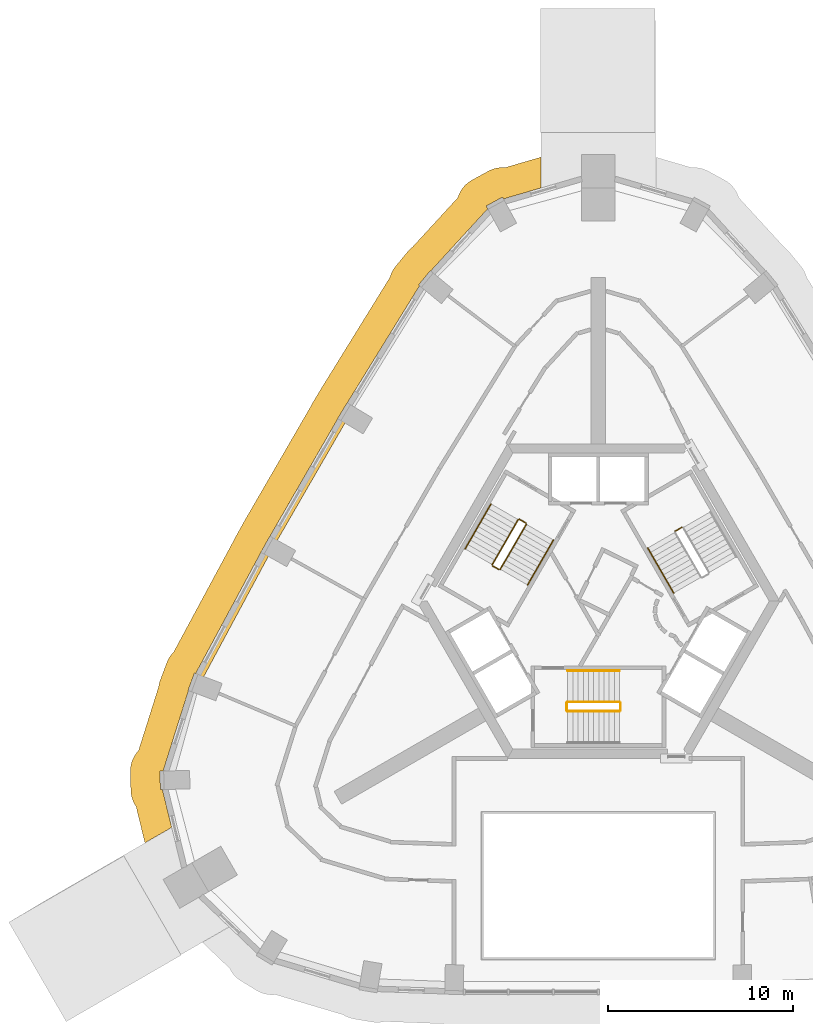
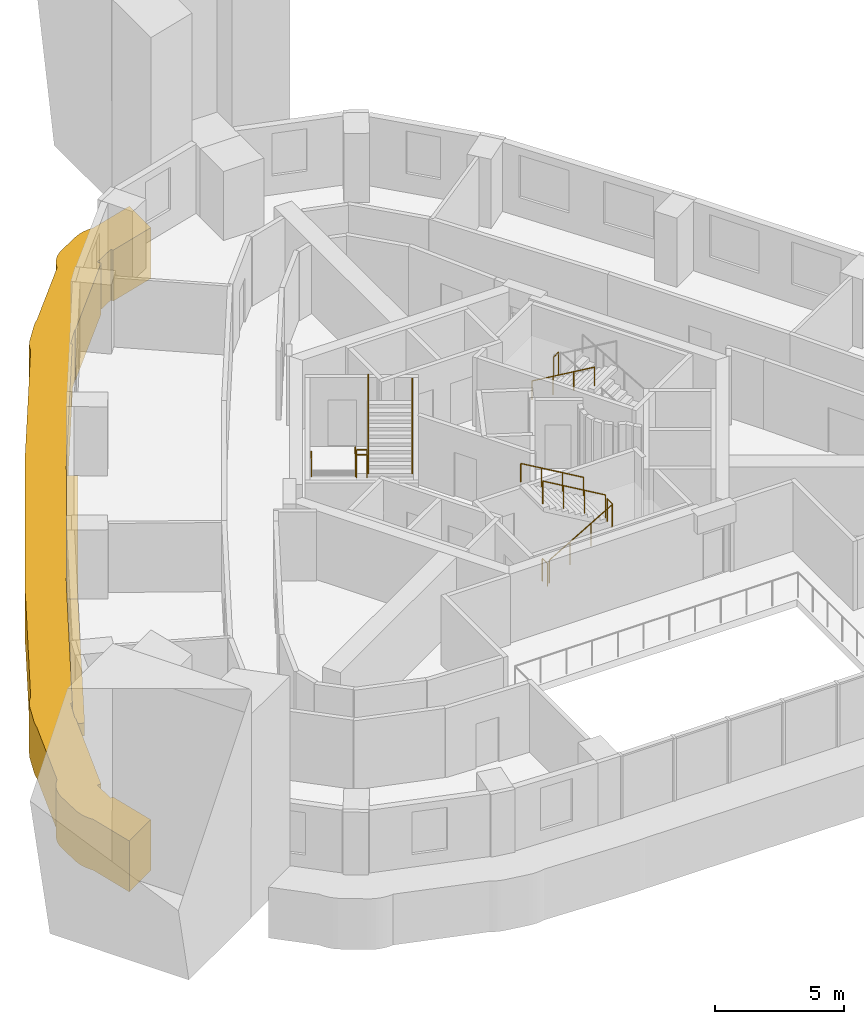
# One storey, part 9 of 11: 13 railings, 3 coverings.
"""IFC4 building model written with IfcOpenShell, lengths in metres."""

import ifcopenshell
import ifcopenshell.guid

model = None  # the IFC model being written
_history = None  # IfcOwnerHistory: only IFC2X3 demands one
_inside = {}  # id of a spatial element -> (the spatial element, [elements in it])
_under = {}  # id of a project, library or spatial element -> (it, [spatial elements below it])
_declared = {}  # id of a project -> (the project, [libraries it declares])
_typed = {}  # id of a type object -> (the type object, [elements of that type])
_made_of = {}  # id of a material, layer set ... -> (it, [elements and type objects made of it])


def new_model(schema):
    """Start an empty IFC model of exactly this schema.

    Asked for "IFC4X3", IfcOpenShell would pick the latest addendum, in which some entities
    have other attributes; the version numbers below select the first issue.
    IFC2X3 requires an IfcOwnerHistory on every rooted entity: one is made here for all.
    """
    global model, _history
    if schema == "IFC4X3":
        model = ifcopenshell.file(schema_version=(4, 3, 0, 0))
    else:
        model = ifcopenshell.file(schema=schema)
    _inside.clear()
    _under.clear()
    _declared.clear()
    _typed.clear()
    _made_of.clear()
    _history = None
    if model.schema == "IFC2X3":
        org = make("IfcOrganization", Name="unknown")
        user = make(
            "IfcPersonAndOrganization",
            ThePerson=make("IfcPerson", FamilyName="unknown"),
            TheOrganization=org,
        )
        app = make(
            "IfcApplication",
            ApplicationDeveloper=org,
            Version="unknown",
            ApplicationFullName="unknown",
            ApplicationIdentifier="unknown",
        )
        _history = make(
            "IfcOwnerHistory",
            OwningUser=user,
            OwningApplication=app,
            ChangeAction="ADDED",
            CreationDate=0,
        )
    return model


def make(cls, **values):
    """One entity of the class cls with the attributes given. An attribute that is None is left unset."""
    return model.create_entity(
        cls, **{name: value for name, value in values.items() if value is not None}
    )


def rooted(cls, **values):
    """An entity with a GlobalId (a new one), such as an element, a storey or a relation."""
    return make(cls, GlobalId=ifcopenshell.guid.new(), OwnerHistory=_history, **values)


def si_unit(unit_type, name, prefix=None):
    """IfcSIUnit, for example si_unit("LENGTHUNIT", "METRE", prefix="MILLI")."""
    return make("IfcSIUnit", UnitType=unit_type, Prefix=prefix, Name=name)


def assignment(units):
    """IfcUnitAssignment: the units of a project."""
    return None if units is None else make("IfcUnitAssignment", Units=units)


def point(xyz):
    """IfcCartesianPoint."""
    return None if xyz is None else make("IfcCartesianPoint", Coordinates=xyz)


def direction(xyz):
    """IfcDirection."""
    return None if xyz is None else make("IfcDirection", DirectionRatios=xyz)


def frame(location, z_axis=None, x_axis=None):
    """IfcAxis2Placement3D, a coordinate frame: its origin and axes. An axis left out is left unset."""
    return make(
        "IfcAxis2Placement3D",
        Location=point(location),
        Axis=direction(z_axis),
        RefDirection=direction(x_axis),
    )


def frame_2d(location, x_axis=None):
    """IfcAxis2Placement2D, a coordinate frame in the plane: its origin and x axis."""
    return make(
        "IfcAxis2Placement2D", Location=point(location), RefDirection=direction(x_axis)
    )


def origin():
    """The frame at (0, 0, 0) with its axes left unset."""
    return frame((0.0, 0.0, 0.0))


def origin_2d():
    """The frame at (0, 0) in the plane with its x axis left unset."""
    return frame_2d((0.0, 0.0))


def place(relative_to, where):
    """IfcLocalPlacement: puts the frame where relative to a parent placement (None: the world)."""
    return make(
        "IfcLocalPlacement", PlacementRelTo=relative_to, RelativePlacement=where
    )


def context(
    kind, dimensions, precision=None, world=None, true_north=None, identifier=None
):
    """IfcGeometricRepresentationContext, for example the 3D "Model" context."""
    return make(
        "IfcGeometricRepresentationContext",
        ContextIdentifier=identifier,
        ContextType=kind,
        CoordinateSpaceDimension=dimensions,
        Precision=precision,
        WorldCoordinateSystem=world,
        TrueNorth=true_north,
    )


def subcontext(parent, identifier, kind, view, scale=None):
    """IfcGeometricRepresentationSubContext, for example "Body" below "Model"."""
    return make(
        "IfcGeometricRepresentationSubContext",
        ContextIdentifier=identifier,
        ContextType=kind,
        ParentContext=parent,
        TargetScale=scale,
        TargetView=view,
    )


def project(units=None, contexts=None):
    """IfcProject with its units and contexts."""
    return rooted(
        "IfcProject",
        Name="project",
        RepresentationContexts=contexts,
        UnitsInContext=assignment(units),
    )


def spatial(cls, under=None, at=None, **own):
    """A site, building, storey or space (cls), placed at a placement, below another one or the project."""
    s = rooted(cls, ObjectPlacement=at, **own)
    if under is not None:
        _under.setdefault(under.id(), (under, []))[1].append(s)
    return s


def polyline(points):
    """IfcPolyline through the points."""
    return make("IfcPolyline", Points=[point(p) for p in points])


def profile(cls, at=None, kind="AREA", **sizes):
    """A parametric profile (cls). Its sizes go by their IFC names, for example OverallWidth=200.0."""
    return make(cls, ProfileType=kind, Position=at, **sizes)


def circle(**sizes):
    """IfcCircleProfileDef."""
    return profile("IfcCircleProfileDef", **sizes)


def outline(outer, holes=None, kind="AREA"):
    """IfcArbitraryClosedProfileDef: a profile drawn as a closed curve; with holes, ...WithVoids."""
    if holes is None:
        return make("IfcArbitraryClosedProfileDef", ProfileType=kind, OuterCurve=outer)
    return make(
        "IfcArbitraryProfileDefWithVoids",
        ProfileType=kind,
        OuterCurve=outer,
        InnerCurves=holes,
    )


def extrude(swept, where, along, depth):
    """IfcExtrudedAreaSolid: the profile swept, set in the frame where, extruded along a direction by depth."""
    return make(
        "IfcExtrudedAreaSolid",
        SweptArea=swept,
        Position=where,
        ExtrudedDirection=direction(along),
        Depth=depth,
    )


def shape(context_of_items, identifier, shape_type, items):
    """IfcShapeRepresentation: the items that make up one representation, for example the "Body"."""
    return make(
        "IfcShapeRepresentation",
        ContextOfItems=context_of_items,
        RepresentationIdentifier=identifier,
        RepresentationType=shape_type,
        Items=items,
    )


def material(Name=None, Category=None):
    """IfcMaterial."""
    return make("IfcMaterial", Name=Name, Category=Category)


def made_of(thing, what):
    """Note that an element or type object is made of a material, layer set ...; save() writes the relation."""
    if what is not None:
        _made_of.setdefault(what.id(), (what, []))[1].append(thing)
    return thing


def type_object(cls, material=None, **own):
    """A type object (cls), such as IfcWallType, which elements share."""
    return made_of(rooted(cls, **own), material)


def element(
    cls,
    number,
    at=None,
    inside=None,
    cuts=None,
    type_object=None,
    material=None,
    context=None,
    identifier="Body",
    shape_type=None,
    held_by="IfcProductDefinitionShape",
    body=None,
    shapes=None,
    **own,
):
    """One element of the class cls, such as IfcWall. Its Tag is "e" and its number.

    at: its placement. inside: the storey or other place that contains it. cuts: it is an
    opening in that element (IfcRelVoidsElement). A single representation is given by context,
    identifier, shape_type and body (its items); several are given by shapes. held_by: the class
    of the entity that holds the representations. save() writes the other relations.
    """
    e = rooted(cls, Tag="e%d" % number, ObjectPlacement=at, **own)
    if body is not None:
        shapes = [shape(context, identifier, shape_type, body)]
    if shapes is not None:
        e.Representation = make(held_by, Representations=shapes)
    if inside is not None:
        _inside.setdefault(inside.id(), (inside, []))[1].append(e)
    if cuts is not None:
        rooted(
            "IfcRelVoidsElement", RelatingBuildingElement=cuts, RelatedOpeningElement=e
        )
    if type_object is not None:
        _typed.setdefault(type_object.id(), (type_object, []))[1].append(e)
    return made_of(e, material)


def aggregate(whole, parts):
    """IfcRelAggregates: a whole, such as a stair, and the parts it consists of."""
    return rooted("IfcRelAggregates", RelatingObject=whole, RelatedObjects=parts)


def save(model, path):
    """Write the relations noted so far, then the file.

    IfcRelAggregates (storeys below a building ...), IfcRelContainedInSpatialStructure (elements
    in a storey), IfcRelDefinesByType, IfcRelAssociatesMaterial and IfcRelDeclares: one each for
    every whole, place, type object, material and project.
    """
    for whole, parts in _under.values():
        aggregate(whole, parts)
    for where, things in _inside.values():
        rooted(
            "IfcRelContainedInSpatialStructure",
            RelatedElements=things,
            RelatingStructure=where,
        )
    for kind, things in _typed.values():
        rooted("IfcRelDefinesByType", RelatedObjects=things, RelatingType=kind)
    for what, things in _made_of.values():
        rooted("IfcRelAssociatesMaterial", RelatedObjects=things, RelatingMaterial=what)
    for by, libraries in _declared.values():
        rooted("IfcRelDeclares", RelatingContext=by, RelatedDefinitions=libraries)
    model.write(path)


model = new_model("IFC4")

# Units and contexts
model_context = context("Model", 3, precision=1e-05, world=origin(), true_north=direction((0.0, 1.0)))
body_context = subcontext(model_context, "Body", "Model", "MODEL_VIEW")
ifc_project = project(units=[si_unit("LENGTHUNIT", "METRE"), si_unit("AREAUNIT", "SQUARE_METRE"), si_unit("VOLUMEUNIT", "CUBIC_METRE"), si_unit("PLANEANGLEUNIT", "RADIAN"), si_unit("MASSUNIT", "GRAM", prefix="KILO")], contexts=[model_context])

# Site, building, storey
site_placement = place(None, origin())
site = spatial("IfcSite", under=ifc_project, at=site_placement, CompositionType="ELEMENT")
building_placement = place(site_placement, origin())
building = spatial("IfcBuilding", under=site, at=building_placement, Name="Entoto Arch Interchange Tower", CompositionType="ELEMENT")
storey_placement = place(building_placement, frame((0.0, 0.0, 308.0)))
storey = spatial("IfcBuildingStorey", under=building, at=storey_placement, Name="L72", CompositionType="ELEMENT", Elevation=308.0)

# Coverings
ifc_material_1 = material(Name="Board-marked precast concrete C50/60", Category="concrete")
covering_type_1 = type_object("IfcCoveringType", Name="PRECAST FRAME COURSE", PredefinedType="CLADDING", material=ifc_material_1)
covering_1_placement = place(storey_placement, frame((0.0, 0.0, -2.10009765625)))
element("IfcCovering", 1, at=covering_1_placement, inside=storey, type_object=covering_type_1, Name="Slab edge fin L72", PredefinedType="CLADDING", context=body_context, shape_type="SweptSolid", body=[
    extrude(outline(polyline([(-25.2509765625, -7.876953125), (-25.261962890625, -7.720947265625), (-25.287109375, -6.720947265625), (-25.282958984375, -6.56396484375), (-25.262939453125, -6.407958984375), (-25.22900390625, -6.2548828125), (-25.179931640625, -6.10595703125), (-25.115966796875, -5.9619140625), (-25.0390625, -5.825927734375), (-24.947998046875, -5.697021484375), (-24.847900390625, -5.58203125), (-23.756103515625, -2.114990234375), (-23.75, -2.06201171875), (-23.718017578125, -1.908935546875), (-23.669921875, -1.759033203125), (-23.319091796875, -0.822998046875), (-23.257080078125, -0.677978515625), (-23.180908203125, -0.541015625), (-23.092041015625, -0.412109375), (-22.989990234375, -0.2919921875), (-22.952880859375, -0.256103515625), (-19.7041015625, 5.77294921875), (-19.701904296875, 5.778076171875), (-19.632080078125, 5.91796875), (-19.14599609375, 6.7919921875), (-19.133056640625, 6.81689453125), (-15.537109375, 13.029052734375), (-15.529052734375, 13.047119140625), (-15.455078125, 13.18505859375), (-14.94189453125, 14.04296875), (-14.929931640625, 14.06201171875), (-11.25390625, 20.008056640625), (-11.241943359375, 20.055908203125), (-11.18896484375, 20.2041015625), (-11.1220703125, 20.345947265625), (-11.041015625, 20.47998046875), (-10.947021484375, 20.60595703125), (-10.31103515625, 21.3779296875), (-10.2060546875, 21.493896484375), (-10.089111328125, 21.59912109375), (-10.0458984375, 21.631103515625), (-7.589111328125, 24.31005859375), (-7.5390625, 24.4541015625), (-7.472900390625, 24.596923828125), (-7.39404296875, 24.73193359375), (-7.301025390625, 24.85888671875), (-7.197021484375, 24.97607421875), (-7.0810546875, 25.0830078125), (-6.9560546875, 25.177001953125), (-6.822021484375, 25.259033203125), (-5.944091796875, 25.738037109375), (-5.802978515625, 25.805908203125), (-5.655029296875, 25.861083984375), (-5.5029296875, 25.89990234375), (-5.347900390625, 25.924072265625), (-5.19189453125, 25.93310546875), (-5.048095703125, 25.927978515625), (-3.10498046875, 26.49609375), (-3.10498046875, 24.8291015625), (-5.1259765625, 24.238037109375), (-5.177978515625, 24.3330078125), (-5.616943359375, 24.093994140625), (-6.055908203125, 23.85498046875), (-5.97412109375, 23.705078125), (-9.055908203125, 20.343994140625), (-9.075927734375, 20.361083984375), (-9.39404296875, 19.97509765625), (-9.7119140625, 19.589111328125), (-9.658935546875, 19.5458984375), (-13.56298828125, 13.218017578125), (-13.569091796875, 13.220947265625), (-13.825927734375, 12.7919921875), (-14.0830078125, 12.363037109375), (-14.075927734375, 12.35888671875), (-17.740966796875, 6.010986328125), (-17.748046875, 6.014892578125), (-17.990966796875, 5.577880859375), (-18.23388671875, 5.14111328125), (-18.22802734375, 5.137939453125), (-21.757080078125, -1.407958984375), (-21.821044921875, -1.384033203125), (-21.99609375, -1.85205078125), (-22.1708984375, -2.320068359375), (-22.14599609375, -2.330078125), (-23.51611328125, -6.677978515625), (-23.68701171875, -6.681884765625), (-23.675048828125, -7.181884765625), (-23.6630859375, -7.681884765625), (-23.553955078125, -7.678955078125), (-23.054931640625, -9.72509765625), (-24.4990234375, -10.55908203125), (-24.97802734375, -8.592041015625), (-25.054931640625, -8.469970703125), (-25.1259765625, -8.330078125), (-25.181884765625, -8.18310546875), (-25.22412109375, -8.031982421875), (-25.2509765625, -7.876953125)])), origin(), (0.0, 0.0, 1.0), 2.400146484375),
])
covering_type_2 = type_object("IfcCoveringType", Name="PRECAST LEDGE COURSE", PredefinedType="CLADDING", material=ifc_material_1)
covering_2_placement = place(storey_placement, frame((0.0, 0.0, -0.93994140625)))
element("IfcCovering", 2, at=covering_2_placement, inside=storey, type_object=covering_type_2, Name="Precast course NW-02 L72", PredefinedType="CLADDING", context=body_context, shape_type="SweptSolid", body=[
    extrude(outline(polyline([(-17.595947265625, 5.35791015625), (-17.990966796875, 5.577880859375), (-13.825927734375, 12.7919921875), (-13.43798828125, 12.56005859375), (-17.595947265625, 5.35791015625)])), origin(), (0.0, 0.0, 1.0), 0.599853515625),
])
covering_3_placement = place(storey_placement, frame((0.0, 0.0, -0.93994140625)))
element("IfcCovering", 3, at=covering_3_placement, inside=storey, type_object=covering_type_2, Name="Precast course NW-03 L72", PredefinedType="CLADDING", context=body_context, shape_type="SweptSolid", body=[
    extrude(outline(polyline([(-21.556884765625, -2.01708984375), (-21.99609375, -1.85205078125), (-17.990966796875, 5.577880859375), (-17.595947265625, 5.35791015625), (-21.556884765625, -2.01708984375)])), origin(), (0.0, 0.0, 1.0), 0.599853515625),
])

# Railings
ifc_material_2 = material(Name="Stainless steel 1.4301", Category="steel")
railing_type_1 = type_object("IfcRailingType", Name="STAIR GUARD 1100 STEEL", PredefinedType="GUARDRAIL", material=ifc_material_2)
railing_1_placement = place(storey_placement, frame((-1.64990234375, -3.449951171875, 0.16357421875)))
element("IfcRailing", 4, at=railing_1_placement, inside=storey, type_object=railing_type_1, Name="L72 ST-S stair guard 1", PredefinedType="GUARDRAIL", context=body_context, shape_type="SweptSolid", body=[
    extrude(circle(Radius=0.02392578125, at=origin_2d()), frame((0.0, 0.0, 1.076171875), z_axis=(0.863341702679, 0.0, 0.504619762213), x_axis=(0.0, 1.0, 0.0)), (0.0, 0.0, 1.0), 3.242919921875),
    extrude(circle(Radius=0.02099609375, at=origin_2d()), origin(), (0.0, 0.0, 1.0), 1.052001953125),
    extrude(circle(Radius=0.02099609375, at=origin_2d()), frame((0.933349609375, 0.0, 0.54541015625)), (0.0, 0.0, 1.0), 1.052001953125),
    extrude(circle(Radius=0.02099609375, at=origin_2d()), frame((1.866455078125, 0.0, 1.091064453125)), (0.0, 0.0, 1.0), 1.052001953125),
    extrude(circle(Radius=0.02099609375, at=origin_2d()), frame((2.7998046875, 0.0, 1.636474609375)), (0.0, 0.0, 1.0), 1.052001953125),
])
railing_2_placement = place(storey_placement, frame((1.199951171875, -3.39990234375, 1.800048828125)))
element("IfcRailing", 5, at=railing_2_placement, inside=storey, type_object=railing_type_1, Name="L72 ST-S stair guard 2", PredefinedType="GUARDRAIL", context=body_context, shape_type="SweptSolid", body=[
    extrude(circle(Radius=0.02392578125, at=origin_2d()), frame((0.0, 0.0, 1.076171875), z_axis=(0.0, 1.0, 0.0), x_axis=(-1.0, 0.0, 0.0)), (0.0, 0.0, 1.0), 0.39990234375),
    extrude(circle(Radius=0.02099609375, at=origin_2d()), origin(), (0.0, 0.0, 1.0), 1.052001953125),
    extrude(circle(Radius=0.02099609375, at=origin_2d()), frame((0.0, 0.39990234375, 0.0)), (0.0, 0.0, 1.0), 1.052001953125),
])
railing_3_placement = place(storey_placement, frame((1.14990234375, -2.949951171875, 1.963623046875)))
element("IfcRailing", 6, at=railing_3_placement, inside=storey, type_object=railing_type_1, Name="L72 ST-S stair guard 3", PredefinedType="GUARDRAIL", context=body_context, shape_type="SweptSolid", body=[
    extrude(circle(Radius=0.02392578125, at=origin_2d()), frame((0.0, 0.0, 1.076171875), z_axis=(-0.863341702679, 0.0, 0.504619762213), x_axis=(0.0, -1.0, 0.0)), (0.0, 0.0, 1.0), 3.242919921875),
    extrude(circle(Radius=0.02099609375, at=origin_2d()), origin(), (0.0, 0.0, 1.0), 1.052001953125),
    extrude(circle(Radius=0.02099609375, at=origin_2d()), frame((-0.933349609375, 0.0, 0.54541015625)), (0.0, 0.0, 1.0), 1.052001953125),
    extrude(circle(Radius=0.02099609375, at=origin_2d()), frame((-1.866455078125, 0.0, 1.091064453125)), (0.0, 0.0, 1.0), 1.052001953125),
    extrude(circle(Radius=0.02099609375, at=origin_2d()), frame((-2.7998046875, 0.0, 1.636474609375)), (0.0, 0.0, 1.0), 1.052001953125),
])
railing_4_placement = place(storey_placement, frame((-1.699951171875, -3.39990234375, 0.0)))
element("IfcRailing", 7, at=railing_4_placement, inside=storey, type_object=railing_type_1, Name="L72 ST-S stair guard 4", PredefinedType="GUARDRAIL", context=body_context, shape_type="SweptSolid", body=[
    extrude(circle(Radius=0.02392578125, at=origin_2d()), frame((0.0, 0.0, 1.076171875), z_axis=(0.0, 1.0, 0.0), x_axis=(-1.0, 0.0, 0.0)), (0.0, 0.0, 1.0), 0.39990234375),
    extrude(circle(Radius=0.02099609375, at=origin_2d()), origin(), (0.0, 0.0, 1.0), 1.052001953125),
    extrude(circle(Radius=0.02099609375, at=origin_2d()), frame((0.0, 0.39990234375, 0.0)), (0.0, 0.0, 1.0), 1.052001953125),
])
railing_5_placement = place(storey_placement, frame((4.509521484375, 6.4892578125, 1.800048828125)))
element("IfcRailing", 8, at=railing_5_placement, inside=storey, type_object=railing_type_1, Name="L72 ST-NE stair guard 2", PredefinedType="GUARDRAIL", context=body_context, shape_type="SweptSolid", body=[
    extrude(circle(Radius=0.02392578125, at=origin_2d()), frame((0.0, 0.0, 1.076171875), z_axis=(-0.866094119867, -0.499880961361, 0.0), x_axis=(0.499880961361, -0.866094119867, 0.0)), (0.0, 0.0, 1.0), 0.39990234375),
    extrude(circle(Radius=0.02099609375, at=origin_2d()), origin(), (0.0, 0.0, 1.0), 1.052001953125),
    extrude(circle(Radius=0.02099609375, at=origin_2d()), frame((-0.346435546875, -0.199951171875, 0.0)), (0.0, 0.0, 1.0), 1.052001953125),
])
railing_6_placement = place(storey_placement, frame((-4.327880859375, 6.904052734375, 0.16357421875)))
element("IfcRailing", 9, at=railing_6_placement, inside=storey, type_object=railing_type_1, Name="L72 ST-NW stair guard 1", PredefinedType="GUARDRAIL", context=body_context, shape_type="SweptSolid", body=[
    extrude(circle(Radius=0.02392578125, at=origin_2d()), frame((0.0, 0.0, 1.076171875), z_axis=(-0.431636334334, -0.747723004699, 0.504579412111), x_axis=(0.866056369097, -0.49994636267, 0.0)), (0.0, 0.0, 1.0), 3.2431640625),
    extrude(circle(Radius=0.02099609375, at=origin_2d()), origin(), (0.0, 0.0, 1.0), 1.052001953125),
    extrude(circle(Radius=0.02099609375, at=origin_2d()), frame((-0.466552734375, -0.808349609375, 0.54541015625)), (0.0, 0.0, 1.0), 1.052001953125),
    extrude(circle(Radius=0.02099609375, at=origin_2d()), frame((-0.933349609375, -1.61669921875, 1.091064453125)), (0.0, 0.0, 1.0), 1.052001953125),
    extrude(circle(Radius=0.02099609375, at=origin_2d()), frame((-1.39990234375, -2.425048828125, 1.636474609375)), (0.0, 0.0, 1.0), 1.052001953125),
])
railing_7_placement = place(storey_placement, frame((-5.70947265625, 4.410888671875, 1.800048828125)))
element("IfcRailing", 10, at=railing_7_placement, inside=storey, type_object=railing_type_1, Name="L72 ST-NW stair guard 2", PredefinedType="GUARDRAIL", context=body_context, shape_type="SweptSolid", body=[
    extrude(circle(Radius=0.02392578125, at=origin_2d()), frame((0.0, 0.0, 1.076171875), z_axis=(0.865829829939, -0.500338590944, 0.0), x_axis=(0.500338590944, 0.865829829939, 0.0)), (0.0, 0.0, 1.0), 0.400146484375),
    extrude(circle(Radius=0.02099609375, at=origin_2d()), origin(), (0.0, 0.0, 1.0), 1.052001953125),
    extrude(circle(Radius=0.02099609375, at=origin_2d()), frame((0.346435546875, -0.2001953125, 0.0)), (0.0, 0.0, 1.0), 1.052001953125),
])
railing_8_placement = place(storey_placement, frame((-5.294921875, 4.22900390625, 1.963623046875)))
element("IfcRailing", 11, at=railing_8_placement, inside=storey, type_object=railing_type_1, Name="L72 ST-NW stair guard 3", PredefinedType="GUARDRAIL", context=body_context, shape_type="SweptSolid", body=[
    extrude(circle(Radius=0.02392578125, at=origin_2d()), frame((0.0, 0.0, 1.076171875), z_axis=(0.431697583215, 0.747698708645, 0.504563016616), x_axis=(-0.866018616679, 0.500011755427, 0.0)), (0.0, 0.0, 1.0), 3.243408203125),
    extrude(circle(Radius=0.02099609375, at=origin_2d()), origin(), (0.0, 0.0, 1.0), 1.052001953125),
    extrude(circle(Radius=0.02099609375, at=origin_2d()), frame((0.466796875, 0.808349609375, 0.54541015625)), (0.0, 0.0, 1.0), 1.052001953125),
    extrude(circle(Radius=0.02099609375, at=origin_2d()), frame((0.933349609375, 1.61669921875, 1.091064453125)), (0.0, 0.0, 1.0), 1.052001953125),
    extrude(circle(Radius=0.02099609375, at=origin_2d()), frame((1.400146484375, 2.425048828125, 1.636474609375)), (0.0, 0.0, 1.0), 1.052001953125),
])
railing_9_placement = place(storey_placement, frame((-4.259521484375, 6.92236328125, 0.0)))
element("IfcRailing", 12, at=railing_9_placement, inside=storey, type_object=railing_type_1, Name="L72 ST-NW stair guard 4", PredefinedType="GUARDRAIL", context=body_context, shape_type="SweptSolid", body=[
    extrude(circle(Radius=0.02392578125, at=origin_2d()), frame((0.0, 0.0, 1.076171875), z_axis=(0.865829829939, -0.500338590944, 0.0), x_axis=(0.500338590944, 0.865829829939, 0.0)), (0.0, 0.0, 1.0), 0.400146484375),
    extrude(circle(Radius=0.02099609375, at=origin_2d()), origin(), (0.0, 0.0, 1.0), 1.052001953125),
    extrude(circle(Radius=0.02099609375, at=origin_2d()), frame((0.346435546875, -0.2001953125, 0.0)), (0.0, 0.0, 1.0), 1.052001953125),
])
railing_type_2 = type_object("IfcRailingType", Name="STAIR HANDRAIL 900 STEEL", PredefinedType="HANDRAIL", material=ifc_material_2)
railing_10_placement = place(storey_placement, frame((1.14990234375, -1.25, 1.963623046875)))
element("IfcRailing", 13, at=railing_10_placement, inside=storey, type_object=railing_type_2, Name="L72 ST-S stair handrail 2", PredefinedType="HANDRAIL", context=body_context, shape_type="SweptSolid", body=[
    extrude(circle(Radius=0.02392578125, at=origin_2d()), frame((0.0, 0.0, 0.8759765625), z_axis=(-0.863341702679, 0.0, 0.504619762213), x_axis=(0.0, -1.0, 0.0)), (0.0, 0.0, 1.0), 3.242919921875),
    extrude(circle(Radius=0.02099609375, at=origin_2d()), origin(), (0.0, 0.0, 1.0), 0.851806640625),
    extrude(circle(Radius=0.02099609375, at=origin_2d()), frame((-0.933349609375, 0.0, 0.54541015625)), (0.0, 0.0, 1.0), 0.851806640625),
    extrude(circle(Radius=0.02099609375, at=origin_2d()), frame((-1.866455078125, 0.0, 1.091064453125)), (0.0, 0.0, 1.0), 0.851806640625),
    extrude(circle(Radius=0.02099609375, at=origin_2d()), frame((-2.7998046875, 0.0, 1.636474609375)), (0.0, 0.0, 1.0), 0.851806640625),
])
railing_11_placement = place(storey_placement, frame((2.672607421875, 5.370849609375, 1.963623046875)))
element("IfcRailing", 14, at=railing_11_placement, inside=storey, type_object=railing_type_2, Name="L72 ST-NE stair handrail 2", PredefinedType="HANDRAIL", context=body_context, shape_type="SweptSolid", body=[
    extrude(circle(Radius=0.02392578125, at=origin_2d()), frame((0.0, 0.0, 0.8759765625), z_axis=(0.431660630283, -0.747689811644, 0.504607813879), x_axis=(0.866034573852, 0.49998411664, 0.0)), (0.0, 0.0, 1.0), 3.2431640625),
    extrude(circle(Radius=0.02099609375, at=origin_2d()), origin(), (0.0, 0.0, 1.0), 0.851806640625),
    extrude(circle(Radius=0.02099609375, at=origin_2d()), frame((0.466552734375, -0.808349609375, 0.54541015625)), (0.0, 0.0, 1.0), 0.851806640625),
    extrude(circle(Radius=0.02099609375, at=origin_2d()), frame((0.933349609375, -1.616455078125, 1.091064453125)), (0.0, 0.0, 1.0), 0.851806640625),
    extrude(circle(Radius=0.02099609375, at=origin_2d()), frame((1.39990234375, -2.4248046875, 1.636474609375)), (0.0, 0.0, 1.0), 0.851806640625),
])
railing_12_placement = place(storey_placement, frame((-5.800048828125, 7.75390625, 0.16357421875)))
element("IfcRailing", 15, at=railing_12_placement, inside=storey, type_object=railing_type_2, Name="L72 ST-NW stair handrail 1", PredefinedType="HANDRAIL", context=body_context, shape_type="SweptSolid", body=[
    extrude(circle(Radius=0.02392578125, at=origin_2d()), frame((0.0, 0.0, 0.8759765625), z_axis=(-0.431721881032, -0.747665513933, 0.504591415616), x_axis=(0.865996816683, -0.500049511043, 0.0)), (0.0, 0.0, 1.0), 3.2431640625),
    extrude(circle(Radius=0.02099609375, at=origin_2d()), origin(), (0.0, 0.0, 1.0), 0.851806640625),
    extrude(circle(Radius=0.02099609375, at=origin_2d()), frame((-0.466796875, -0.808349609375, 0.54541015625)), (0.0, 0.0, 1.0), 0.851806640625),
    extrude(circle(Radius=0.02099609375, at=origin_2d()), frame((-0.933349609375, -1.616455078125, 1.091064453125)), (0.0, 0.0, 1.0), 0.851806640625),
    extrude(circle(Radius=0.02099609375, at=origin_2d()), frame((-1.400146484375, -2.4248046875, 1.636474609375)), (0.0, 0.0, 1.0), 0.851806640625),
])
railing_13_placement = place(storey_placement, frame((-3.822509765625, 3.379150390625, 1.963623046875)))
element("IfcRailing", 16, at=railing_13_placement, inside=storey, type_object=railing_type_2, Name="L72 ST-NW stair handrail 2", PredefinedType="HANDRAIL", context=body_context, shape_type="SweptSolid", body=[
    extrude(circle(Radius=0.02392578125, at=origin_2d()), frame((0.0, 0.0, 0.8759765625), z_axis=(0.431660630283, 0.747689811644, 0.504607813879), x_axis=(-0.866034573852, 0.49998411664, 0.0)), (0.0, 0.0, 1.0), 3.2431640625),
    extrude(circle(Radius=0.02099609375, at=origin_2d()), origin(), (0.0, 0.0, 1.0), 0.851806640625),
    extrude(circle(Radius=0.02099609375, at=origin_2d()), frame((0.466552734375, 0.808349609375, 0.54541015625)), (0.0, 0.0, 1.0), 0.851806640625),
    extrude(circle(Radius=0.02099609375, at=origin_2d()), frame((0.933349609375, 1.616455078125, 1.091064453125)), (0.0, 0.0, 1.0), 0.851806640625),
    extrude(circle(Radius=0.02099609375, at=origin_2d()), frame((1.39990234375, 2.4248046875, 1.636474609375)), (0.0, 0.0, 1.0), 0.851806640625),
])

save(model, "model.ifc")
